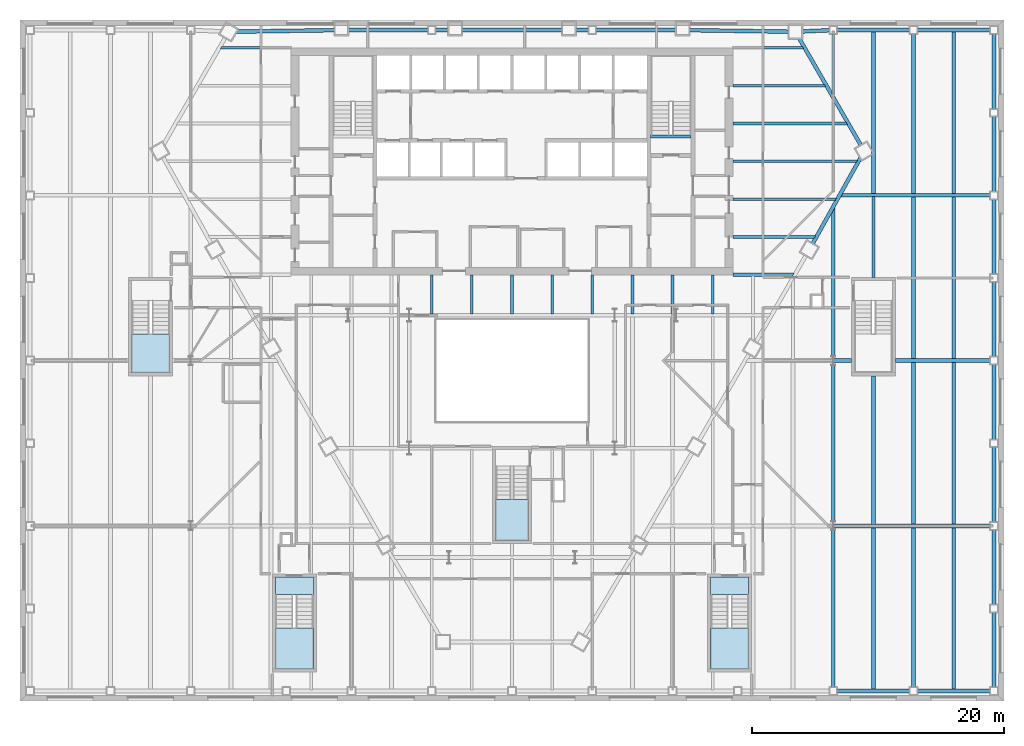
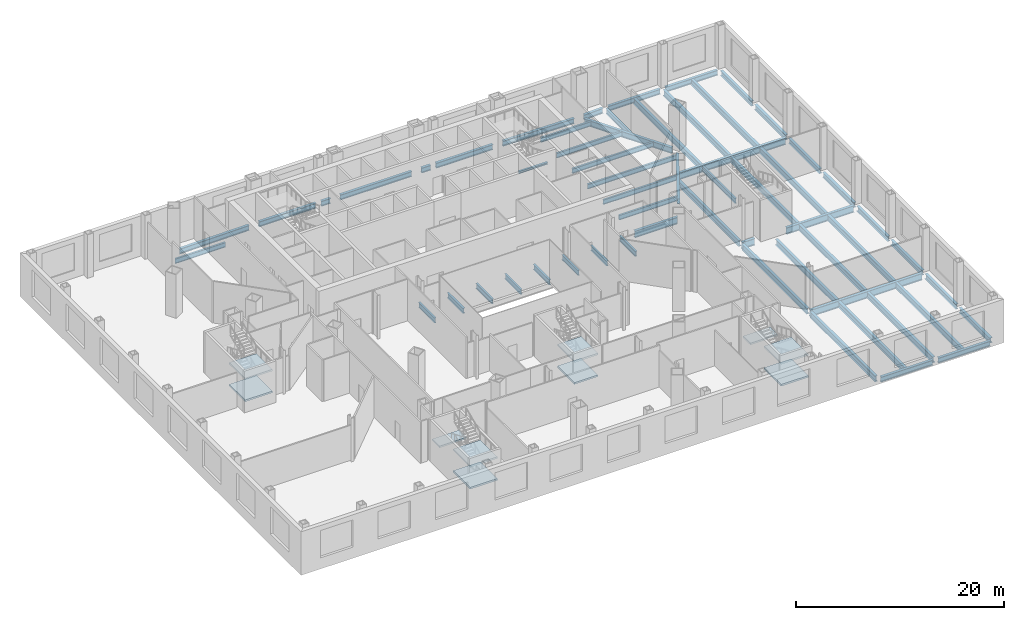
# One storey, part 6 of 21: 59 beams, 10 slabs, 4 elements without a shape of their own.
"""IFC4 building model written with IfcOpenShell, lengths in metres."""

from ifc_helpers import new_model, si_unit, direction, frame, origin, origin_2d, place, context, subcontext, project, spatial, polyline, i_section, outline, extrude, clip, halfspace, material, layer, layer_set, material_profile, profile_set, type_object, element, aggregate, save


model = new_model("IFC4")

# Units and contexts
model_context = context("Model", 3, precision=1e-05, world=origin(), true_north=direction((0.0, 1.0)))
body_context = subcontext(model_context, "Body", "Model", "MODEL_VIEW")
ifc_project = project(units=[si_unit("LENGTHUNIT", "METRE"), si_unit("AREAUNIT", "SQUARE_METRE"), si_unit("VOLUMEUNIT", "CUBIC_METRE"), si_unit("PLANEANGLEUNIT", "RADIAN"), si_unit("MASSUNIT", "GRAM", prefix="KILO")], contexts=[model_context])

# Site, building, storey
site_placement = place(None, origin())
site = spatial("IfcSite", under=ifc_project, at=site_placement, CompositionType="ELEMENT")
building_placement = place(site_placement, origin())
building = spatial("IfcBuilding", under=site, at=building_placement, Name="Njiva Tower", CompositionType="ELEMENT")
storey_placement = place(building_placement, frame((0.0, 0.0, 13.5)))
storey = spatial("IfcBuildingStorey", under=building, at=storey_placement, Name="L02", CompositionType="ELEMENT", Elevation=13.5)

# Beams
ifc_material_1 = material(Name="Steel S355 J2", Category="steel")
ifc_material_profile_1 = material_profile(ifc_material_1, i_section(OverallWidth=0.3, OverallDepth=0.69, WebThickness=0.0145, FlangeThickness=0.027, at=origin_2d()), Name="HEA 700")
ifc_profile_set_1 = profile_set([ifc_material_profile_1], Name="Steel S355 J2")
beam_type_1 = type_object("IfcBeamType", Name="B1 Long-span spandrel beam HEA 700", PredefinedType="SPANDREL", material=ifc_profile_set_1)
beam_1_placement = place(storey_placement, frame((27.648, 10.284, -0.565), z_axis=(-0.500015802937, 0.866016279763, 0.0), x_axis=(-0.866016279763, -0.500015802937, 0.0)))
element("IfcBeam", 1, at=beam_1_placement, inside=storey, type_object=beam_type_1, Name="Long-span spandrel beam L02-B173", PredefinedType="SPANDREL", context=body_context, shape_type="Clipping", body=[
    clip(extrude(i_section(OverallWidth=0.3, OverallDepth=0.69, WebThickness=0.0145, FlangeThickness=0.027, at=origin_2d()), origin(), (0.0, 0.0, 1.0), 9.8447), halfspace(frame((-0.0248, 0.0, 9.7234), z_axis=(-0.500015802937, 0.0, 0.866016279763), x_axis=(0.0, 1.0, 0.0)), False)),
])
ifc_material_profile_2 = material_profile(ifc_material_1, i_section(OverallWidth=0.21, OverallDepth=0.55, WebThickness=0.0111, FlangeThickness=0.0172, at=origin_2d()), Name="IPE 550")
ifc_profile_set_2 = profile_set([ifc_material_profile_2], Name="Steel S355 J2")
beam_type_2 = type_object("IfcBeamType", Name="B10 Floor beam to the core IPE 550", PredefinedType="BEAM", material=ifc_profile_set_2)
beam_2_placement = place(storey_placement, frame((17.5, 3.0, -0.495), z_axis=(1.0, 0.0, 0.0), x_axis=(0.0, 1.0, 0.0)))
element("IfcBeam", 2, at=beam_2_placement, inside=storey, type_object=beam_type_2, Name="Floor beam to the core L02-B007", PredefinedType="BEAM", context=body_context, shape_type="Clipping", body=[
    clip(extrude(i_section(OverallWidth=0.21, OverallDepth=0.55, WebThickness=0.0111, FlangeThickness=0.0172, at=origin_2d()), origin(), (0.0, 0.0, 1.0), 6.591), halfspace(frame((-0.0244, 0.0, 6.4981), z_axis=(-0.487051738924, 0.0, 0.87337311821), x_axis=(0.0, 1.0, 0.0)), False)),
])
beam_3_placement = place(storey_placement, frame((17.5, 6.0, -0.495), z_axis=(1.0, 0.0, 0.0), x_axis=(0.0, 1.0, 0.0)))
element("IfcBeam", 3, at=beam_3_placement, inside=storey, type_object=beam_type_2, Name="Floor beam to the core L02-B008", PredefinedType="BEAM", context=body_context, shape_type="Clipping", body=[
    clip(extrude(i_section(OverallWidth=0.21, OverallDepth=0.55, WebThickness=0.0111, FlangeThickness=0.0172, at=origin_2d()), origin(), (0.0, 0.0, 1.0), 8.264), halfspace(frame((-0.0244, 0.0, 8.171), z_axis=(-0.487051738924, 0.0, 0.87337311821), x_axis=(0.0, 1.0, 0.0)), False)),
])
beam_4_placement = place(storey_placement, frame((17.5, 12.0, -0.495), z_axis=(1.0, 0.0, 0.0), x_axis=(0.0, 1.0, 0.0)))
element("IfcBeam", 4, at=beam_4_placement, inside=storey, type_object=beam_type_2, Name="Floor beam to the core L02-B010", PredefinedType="BEAM", context=body_context, shape_type="Clipping", body=[
    clip(extrude(i_section(OverallWidth=0.21, OverallDepth=0.55, WebThickness=0.0111, FlangeThickness=0.0172, at=origin_2d()), origin(), (0.0, 0.0, 1.0), 9.122), halfspace(frame((0.025, 0.0, 9.0269), z_axis=(0.499998009787, 0.0, 0.866026552831), x_axis=(0.0, 1.0, 0.0)), False)),
])
beam_5_placement = place(storey_placement, frame((17.5, 15.0, -0.495), z_axis=(1.0, 0.0, 0.0), x_axis=(0.0, 1.0, 0.0)))
element("IfcBeam", 5, at=beam_5_placement, inside=storey, type_object=beam_type_2, Name="Floor beam to the core L02-B011", PredefinedType="BEAM", context=body_context, shape_type="Clipping", body=[
    clip(extrude(i_section(OverallWidth=0.21, OverallDepth=0.55, WebThickness=0.0111, FlangeThickness=0.0172, at=origin_2d()), origin(), (0.0, 0.0, 1.0), 7.39), halfspace(frame((0.025, 0.0, 7.2949), z_axis=(0.499998009787, 0.0, 0.866026552831), x_axis=(0.0, 1.0, 0.0)), False)),
])
beam_6_placement = place(storey_placement, frame((-23.158, 18.0, -0.495), z_axis=(1.0, 0.0, 0.0), x_axis=(0.0, 1.0, 0.0)))
element("IfcBeam", 6, at=beam_6_placement, inside=storey, type_object=beam_type_2, Name="Floor beam to the core L02-B006", PredefinedType="BEAM", context=body_context, shape_type="Clipping", body=[
    clip(extrude(i_section(OverallWidth=0.21, OverallDepth=0.55, WebThickness=0.0111, FlangeThickness=0.0172, at=origin_2d()), origin(), (0.0, 0.0, 1.0), 5.658), halfspace(frame((0.025, 0.0, 0.0952), z_axis=(0.499998009787, 0.0, -0.866026552831), x_axis=(0.0, -1.0, 0.0)), False)),
])
beam_7_placement = place(storey_placement, frame((17.5, 18.0, -0.495), z_axis=(1.0, 0.0, 0.0), x_axis=(0.0, 1.0, 0.0)))
element("IfcBeam", 7, at=beam_7_placement, inside=storey, type_object=beam_type_2, Name="Floor beam to the core L02-B012", PredefinedType="BEAM", context=body_context, shape_type="Clipping", body=[
    clip(extrude(i_section(OverallWidth=0.21, OverallDepth=0.55, WebThickness=0.0111, FlangeThickness=0.0172, at=origin_2d()), origin(), (0.0, 0.0, 1.0), 5.658), halfspace(frame((0.025, 0.0, 5.5628), z_axis=(0.499998009787, 0.0, 0.866026552831), x_axis=(0.0, 1.0, 0.0)), False)),
])
ifc_material_profile_3 = material_profile(ifc_material_1, i_section(OverallWidth=0.21, OverallDepth=0.55, WebThickness=0.0111, FlangeThickness=0.0172, at=origin_2d()), Name="IPE 550")
ifc_profile_set_3 = profile_set([ifc_material_profile_3], Name="Steel S355 J2")
beam_type_3 = type_object("IfcBeamType", Name="B11 Long-span floor beam to the core IPE 550", PredefinedType="BEAM", material=ifc_profile_set_3)
beam_8_placement = place(storey_placement, frame((17.5, 9.0, -0.495), z_axis=(1.0, 0.0, 0.0), x_axis=(0.0, 1.0, 0.0)))
element("IfcBeam", 8, at=beam_8_placement, inside=storey, type_object=beam_type_3, Name="Long-span floor beam to the core L02-B009", PredefinedType="BEAM", context=body_context, shape_type="Clipping", body=[
    clip(extrude(i_section(OverallWidth=0.21, OverallDepth=0.55, WebThickness=0.0111, FlangeThickness=0.0172, at=origin_2d()), origin(), (0.0, 0.0, 1.0), 9.937), halfspace(frame((-0.0244, 0.0, 9.844), z_axis=(-0.487051738924, 0.0, 0.87337311821), x_axis=(0.0, 1.0, 0.0)), False)),
])
ifc_material_profile_4 = material_profile(ifc_material_1, i_section(OverallWidth=0.3, OverallDepth=0.69, WebThickness=0.0145, FlangeThickness=0.027, at=origin_2d()), Name="HEA 700")
ifc_profile_set_4 = profile_set([ifc_material_profile_4], Name="Steel S355 J2")
beam_type_4 = type_object("IfcBeamType", Name="B12 Long-span floor joist HEA 700", PredefinedType="JOIST", material=ifc_profile_set_4)
beam_9_placement = place(storey_placement, frame((25.467, 5.288, -0.565), z_axis=(0.0, -1.0, 0.0), x_axis=(1.0, 0.0, 0.0)))
element("IfcBeam", 9, at=beam_9_placement, inside=storey, type_object=beam_type_4, Name="Long-span floor joist L02-B116", PredefinedType="JOIST", context=body_context, shape_type="SweptSolid", body=[
    extrude(i_section(OverallWidth=0.3, OverallDepth=0.69, WebThickness=0.0145, FlangeThickness=0.027, at=origin_2d()), origin(), (0.0, 0.0, 1.0), 11.78),
])
beam_10_placement = place(storey_placement, frame((25.467, -7.108, -0.565), z_axis=(0.0, -1.0, 0.0), x_axis=(1.0, 0.0, 0.0)))
element("IfcBeam", 10, at=beam_10_placement, inside=storey, type_object=beam_type_4, Name="Long-span floor joist L02-B115", PredefinedType="JOIST", context=body_context, shape_type="SweptSolid", body=[
    extrude(i_section(OverallWidth=0.3, OverallDepth=0.69, WebThickness=0.0145, FlangeThickness=0.027, at=origin_2d()), origin(), (0.0, 0.0, 1.0), 12.484),
])
beam_11_placement = place(storey_placement, frame((25.467, -20.208, -0.565), z_axis=(0.0, -1.0, 0.0), x_axis=(1.0, 0.0, 0.0)))
element("IfcBeam", 11, at=beam_11_placement, inside=storey, type_object=beam_type_4, Name="Long-span floor joist L02-B114", PredefinedType="JOIST", context=body_context, shape_type="SweptSolid", body=[
    extrude(i_section(OverallWidth=0.3, OverallDepth=0.69, WebThickness=0.0145, FlangeThickness=0.027, at=origin_2d()), origin(), (0.0, 0.0, 1.0), 12.492),
])
beam_12_placement = place(storey_placement, frame((28.65, 19.3, -0.565), z_axis=(0.0, -1.0, 0.0), x_axis=(1.0, 0.0, 0.0)))
element("IfcBeam", 12, at=beam_12_placement, inside=storey, type_object=beam_type_4, Name="Long-span floor joist L02-B121", PredefinedType="JOIST", context=body_context, shape_type="SweptSolid", body=[
    extrude(i_section(OverallWidth=0.3, OverallDepth=0.69, WebThickness=0.0145, FlangeThickness=0.027, at=origin_2d()), origin(), (0.0, 0.0, 1.0), 12.9),
])
beam_13_placement = place(storey_placement, frame((28.65, -8.0, -0.565), z_axis=(0.0, -1.0, 0.0), x_axis=(1.0, 0.0, 0.0)))
element("IfcBeam", 13, at=beam_13_placement, inside=storey, type_object=beam_type_4, Name="Long-span floor joist L02-B119", PredefinedType="JOIST", context=body_context, shape_type="SweptSolid", body=[
    extrude(i_section(OverallWidth=0.3, OverallDepth=0.69, WebThickness=0.0145, FlangeThickness=0.027, at=origin_2d()), origin(), (0.0, 0.0, 1.0), 11.8),
])
beam_14_placement = place(storey_placement, frame((28.65, -20.0, -0.565), z_axis=(0.0, -1.0, 0.0), x_axis=(1.0, 0.0, 0.0)))
element("IfcBeam", 14, at=beam_14_placement, inside=storey, type_object=beam_type_4, Name="Long-span floor joist L02-B118", PredefinedType="JOIST", context=body_context, shape_type="SweptSolid", body=[
    extrude(i_section(OverallWidth=0.3, OverallDepth=0.69, WebThickness=0.0145, FlangeThickness=0.027, at=origin_2d()), origin(), (0.0, 0.0, 1.0), 12.9),
])
beam_15_placement = place(storey_placement, frame((31.833, 19.1, -0.565), z_axis=(0.0, -1.0, 0.0), x_axis=(1.0, 0.0, 0.0)))
element("IfcBeam", 15, at=beam_15_placement, inside=storey, type_object=beam_type_4, Name="Long-span floor joist L02-B125", PredefinedType="JOIST", context=body_context, shape_type="SweptSolid", body=[
    extrude(i_section(OverallWidth=0.3, OverallDepth=0.69, WebThickness=0.0145, FlangeThickness=0.027, at=origin_2d()), origin(), (0.0, 0.0, 1.0), 12.7),
])
for number, where, z_axis, x_axis, name in (
    (16, (31.833, 6.2, -0.565), (0.0, -1.0, 0.0), (1.0, 0.0, 0.0), "Long-span floor joist L02-B124"),
    (17, (31.833, -6.9, -0.565), (0.0, -1.0, 0.0), (1.0, 0.0, 0.0), "Long-span floor joist L02-B123"),
):
    element("IfcBeam", number, at=place(storey_placement, frame(where, z_axis=z_axis, x_axis=x_axis)), inside=storey, type_object=beam_type_4, Name=name, PredefinedType="JOIST", context=body_context, shape_type="SweptSolid", body=[
        extrude(i_section(OverallWidth=0.3, OverallDepth=0.69, WebThickness=0.0145, FlangeThickness=0.027, at=origin_2d()), origin(), (0.0, 0.0, 1.0), 12.9),
    ])
beam_16_placement = place(storey_placement, frame((31.833, -20.0, -0.565), z_axis=(0.0, -1.0, 0.0), x_axis=(1.0, 0.0, 0.0)))
element("IfcBeam", 18, at=beam_16_placement, inside=storey, type_object=beam_type_4, Name="Long-span floor joist L02-B122", PredefinedType="JOIST", context=body_context, shape_type="SweptSolid", body=[
    extrude(i_section(OverallWidth=0.3, OverallDepth=0.69, WebThickness=0.0145, FlangeThickness=0.027, at=origin_2d()), origin(), (0.0, 0.0, 1.0), 12.7),
])
for number, where, z_axis, x_axis, name in (
    (19, (35.017, 19.3, -0.565), (0.0, -1.0, 0.0), (1.0, 0.0, 0.0), "Long-span floor joist L02-B129"),
    (20, (35.017, 6.2, -0.565), (0.0, -1.0, 0.0), (1.0, 0.0, 0.0), "Long-span floor joist L02-B128"),
    (21, (35.017, -6.9, -0.565), (0.0, -1.0, 0.0), (1.0, 0.0, 0.0), "Long-span floor joist L02-B127"),
    (22, (35.017, -20.0, -0.565), (0.0, -1.0, 0.0), (1.0, 0.0, 0.0), "Long-span floor joist L02-B126"),
):
    element("IfcBeam", number, at=place(storey_placement, frame(where, z_axis=z_axis, x_axis=x_axis)), inside=storey, type_object=beam_type_4, Name=name, PredefinedType="JOIST", context=body_context, shape_type="SweptSolid", body=[
        extrude(i_section(OverallWidth=0.3, OverallDepth=0.69, WebThickness=0.0145, FlangeThickness=0.027, at=origin_2d()), origin(), (0.0, 0.0, 1.0), 12.9),
    ])
ifc_material_profile_5 = material_profile(ifc_material_1, i_section(OverallWidth=0.22, OverallDepth=0.6, WebThickness=0.012, FlangeThickness=0.019, at=origin_2d()), Name="IPE 600")
ifc_profile_set_5 = profile_set([ifc_material_profile_5], Name="Steel S355 J2")
beam_type_5 = type_object("IfcBeamType", Name="B13 Floor joist IPE 600", PredefinedType="JOIST", material=ifc_profile_set_5)
beam_17_placement = place(storey_placement, frame((25.467, 19.1, -0.52), z_axis=(0.0, -1.0, 0.0), x_axis=(1.0, 0.0, 0.0)))
element("IfcBeam", 23, at=beam_17_placement, inside=storey, type_object=beam_type_5, Name="Floor joist L02-B117", PredefinedType="JOIST", context=body_context, shape_type="SweptSolid", body=[
    extrude(i_section(OverallWidth=0.22, OverallDepth=0.6, WebThickness=0.012, FlangeThickness=0.019, at=origin_2d()), origin(), (0.0, 0.0, 1.0), 4.772),
])
beam_18_placement = place(storey_placement, frame((28.65, 6.2, -0.52), z_axis=(0.0, -1.0, 0.0), x_axis=(1.0, 0.0, 0.0)))
element("IfcBeam", 24, at=beam_18_placement, inside=storey, type_object=beam_type_5, Name="Floor joist L02-B120", PredefinedType="JOIST", context=body_context, shape_type="SweptSolid", body=[
    extrude(i_section(OverallWidth=0.22, OverallDepth=0.6, WebThickness=0.012, FlangeThickness=0.019, at=origin_2d()), origin(), (0.0, 0.0, 1.0), 6.4),
])
ifc_material_profile_6 = material_profile(ifc_material_1, i_section(OverallWidth=0.22, OverallDepth=0.6, WebThickness=0.012, FlangeThickness=0.019, at=origin_2d()), Name="IPE 600")
ifc_profile_set_6 = profile_set([ifc_material_profile_6], Name="Steel S355 J2")
beam_type_6 = type_object("IfcBeamType", Name="B14 Short-span floor joist IPE 600", PredefinedType="JOIST", material=ifc_profile_set_6)
for number, where, z_axis, x_axis, name in (
    (25, (-6.367, -0.005, -0.52), (0.0, -1.0, 0.0), (1.0, 0.0, 0.0), "Short-span floor joist L02-B076"),
    (26, (-3.183, -0.005, -0.52), (0.0, -1.0, 0.0), (1.0, 0.0, 0.0), "Short-span floor joist L02-B080"),
    (27, (0.0, -0.005, -0.52), (0.0, -1.0, 0.0), (1.0, 0.0, 0.0), "Short-span floor joist L02-B084"),
    (28, (3.183, -0.005, -0.52), (0.0, -1.0, 0.0), (1.0, 0.0, 0.0), "Short-span floor joist L02-B088"),
    (29, (6.367, -0.005, -0.52), (0.0, -1.0, 0.0), (1.0, 0.0, 0.0), "Short-span floor joist L02-B092"),
):
    element("IfcBeam", number, at=place(storey_placement, frame(where, z_axis=z_axis, x_axis=x_axis)), inside=storey, type_object=beam_type_6, Name=name, PredefinedType="JOIST", context=body_context, shape_type="SweptSolid", body=[
        extrude(i_section(OverallWidth=0.22, OverallDepth=0.6, WebThickness=0.012, FlangeThickness=0.019, at=origin_2d()), origin(), (0.0, 0.0, 1.0), 3.094),
    ])
for number, where, z_axis, x_axis, name in (
    (30, (9.55, -0.005, -0.52), (0.0, -1.0, 0.0), (1.0, 0.0, 0.0), "Short-span floor joist L02-B096"),
    (31, (12.733, -0.005, -0.52), (0.0, -1.0, 0.0), (1.0, 0.0, 0.0), "Short-span floor joist L02-B101"),
    (32, (15.917, -0.005, -0.52), (0.0, -1.0, 0.0), (1.0, 0.0, 0.0), "Short-span floor joist L02-B106"),
):
    element("IfcBeam", number, at=place(storey_placement, frame(where, z_axis=z_axis, x_axis=x_axis)), inside=storey, type_object=beam_type_6, Name=name, PredefinedType="JOIST", context=body_context, shape_type="SweptSolid", body=[
        extrude(i_section(OverallWidth=0.22, OverallDepth=0.6, WebThickness=0.012, FlangeThickness=0.019, at=origin_2d()), origin(), (0.0, 0.0, 1.0), 3.095),
    ])
ifc_material_profile_7 = material_profile(ifc_material_1, i_section(OverallWidth=0.3, OverallDepth=0.6, WebThickness=0.0155, FlangeThickness=0.03, at=origin_2d()), Name="HEB 600")
ifc_profile_set_7 = profile_set([ifc_material_profile_7], Name="Steel S355 J2")
beam_type_7 = type_object("IfcBeamType", Name="B2 Spandrel beam HEB 600", PredefinedType="SPANDREL", material=ifc_profile_set_7)
beam_19_placement = place(storey_placement, frame((23.837, 2.482, -0.52), z_axis=(0.487077780218, 0.873358595319, 0.0), x_axis=(-0.873358595319, 0.487077780218, 0.0)))
element("IfcBeam", 33, at=beam_19_placement, inside=storey, type_object=beam_type_7, Name="Spandrel beam L02-B175", PredefinedType="SPANDREL", context=body_context, shape_type="Clipping", body=[
    clip(extrude(i_section(OverallWidth=0.3, OverallDepth=0.6, WebThickness=0.0155, FlangeThickness=0.03, at=origin_2d()), origin(), (0.0, 0.0, 1.0), 7.8582), halfspace(frame((-0.0257, 0.0, 7.7326), z_axis=(-0.51281381297, 0.0, 0.858499850453), x_axis=(0.0, 1.0, 0.0)), False)),
])
for number, where, z_axis, x_axis, name in (
    (34, (38.2, -32.7, -0.52), (0.0, 1.0, 0.0), (-1.0, 0.0, 0.0), "Spandrel beam L02-B180"),
    (35, (38.2, -26.15, -0.52), (0.0, 1.0, 0.0), (-1.0, 0.0, 0.0), "Spandrel beam L02-B181"),
    (36, (38.2, -19.6, -0.52), (0.0, 1.0, 0.0), (-1.0, 0.0, 0.0), "Spandrel beam L02-B182"),
    (37, (38.2, -13.05, -0.52), (0.0, 1.0, 0.0), (-1.0, 0.0, 0.0), "Spandrel beam L02-B183"),
    (38, (38.2, -6.5, -0.52), (0.0, 1.0, 0.0), (-1.0, 0.0, 0.0), "Spandrel beam L02-B184"),
    (39, (38.2, 0.05, -0.52), (0.0, 1.0, 0.0), (-1.0, 0.0, 0.0), "Spandrel beam L02-B185"),
    (40, (38.2, 6.6, -0.52), (0.0, 1.0, 0.0), (-1.0, 0.0, 0.0), "Spandrel beam L02-B186"),
    (41, (38.2, 13.15, -0.52), (0.0, 1.0, 0.0), (-1.0, 0.0, 0.0), "Spandrel beam L02-B187"),
):
    element("IfcBeam", number, at=place(storey_placement, frame(where, z_axis=z_axis, x_axis=x_axis)), inside=storey, type_object=beam_type_7, Name=name, PredefinedType="SPANDREL", context=body_context, shape_type="SweptSolid", body=[
        extrude(i_section(OverallWidth=0.3, OverallDepth=0.6, WebThickness=0.0155, FlangeThickness=0.03, at=origin_2d()), origin(), (0.0, 0.0, 1.0), 5.95),
    ])
beam_20_placement = place(storey_placement, frame((25.767, -33.0, -0.52), z_axis=(1.0, 0.0, 0.0), x_axis=(0.0, 1.0, 0.0)))
element("IfcBeam", 42, at=beam_20_placement, inside=storey, type_object=beam_type_7, Name="Spandrel beam L02-B176", PredefinedType="SPANDREL", context=body_context, shape_type="SweptSolid", body=[
    extrude(i_section(OverallWidth=0.3, OverallDepth=0.6, WebThickness=0.0155, FlangeThickness=0.03, at=origin_2d()), origin(), (0.0, 0.0, 1.0), 5.766),
])
beam_21_placement = place(storey_placement, frame((32.133, -33.0, -0.52), z_axis=(1.0, 0.0, 0.0), x_axis=(0.0, 1.0, 0.0)))
element("IfcBeam", 43, at=beam_21_placement, inside=storey, type_object=beam_type_7, Name="Spandrel beam L02-B178", PredefinedType="SPANDREL", context=body_context, shape_type="SweptSolid", body=[
    extrude(i_section(OverallWidth=0.3, OverallDepth=0.6, WebThickness=0.0155, FlangeThickness=0.03, at=origin_2d()), origin(), (0.0, 0.0, 1.0), 5.767),
])
beam_22_placement = place(storey_placement, frame((-21.93, 19.2744, -0.52), z_axis=(0.99988785754, 0.014975725174, 0.0), x_axis=(-0.014975725174, 0.99988785754, 0.0)))
element("IfcBeam", 44, at=beam_22_placement, inside=storey, type_object=beam_type_7, Name="Spandrel beam L02-B151", PredefinedType="SPANDREL", context=body_context, shape_type="Clipping", body=[
    clip(extrude(i_section(OverallWidth=0.3, OverallDepth=0.6, WebThickness=0.0155, FlangeThickness=0.03, at=origin_2d()), origin(), (0.0, 0.0, 1.0), 7.8559), halfspace(frame((0.0261, 0.0, 0.1249), z_axis=(0.512911314429, 0.0, -0.858441601701), x_axis=(0.0, -1.0, 0.0)), False)),
])
beam_23_placement = place(storey_placement, frame((-12.973, 19.4, -0.52), z_axis=(1.0, 0.0, 0.0), x_axis=(0.0, 1.0, 0.0)))
element("IfcBeam", 45, at=beam_23_placement, inside=storey, type_object=beam_type_7, Name="Spandrel beam L02-B155", PredefinedType="SPANDREL", context=body_context, shape_type="SweptSolid", body=[
    extrude(i_section(OverallWidth=0.3, OverallDepth=0.6, WebThickness=0.0155, FlangeThickness=0.03, at=origin_2d()), origin(), (0.0, 0.0, 1.0), 6.306),
])
beam_24_placement = place(storey_placement, frame((-3.958, 19.4, -0.52), z_axis=(1.0, 0.0, 0.0), x_axis=(0.0, 1.0, 0.0)))
element("IfcBeam", 46, at=beam_24_placement, inside=storey, type_object=beam_type_7, Name="Spandrel beam L02-B161", PredefinedType="SPANDREL", context=body_context, shape_type="SweptSolid", body=[
    extrude(i_section(OverallWidth=0.3, OverallDepth=0.6, WebThickness=0.0155, FlangeThickness=0.03, at=origin_2d()), origin(), (0.0, 0.0, 1.0), 7.916),
])
beam_25_placement = place(storey_placement, frame((6.667, 19.4, -0.52), z_axis=(1.0, 0.0, 0.0), x_axis=(0.0, 1.0, 0.0)))
element("IfcBeam", 47, at=beam_25_placement, inside=storey, type_object=beam_type_7, Name="Spandrel beam L02-B166", PredefinedType="SPANDREL", context=body_context, shape_type="SweptSolid", body=[
    extrude(i_section(OverallWidth=0.3, OverallDepth=0.6, WebThickness=0.0155, FlangeThickness=0.03, at=origin_2d()), origin(), (0.0, 0.0, 1.0), 6.306),
])
beam_26_placement = place(storey_placement, frame((14.075, 19.392, -0.52), z_axis=(0.999888493047, -0.014933233812, 0.0), x_axis=(0.014933233812, 0.999888493047, 0.0)))
element("IfcBeam", 48, at=beam_26_placement, inside=storey, type_object=beam_type_7, Name="Spandrel beam L02-B169", PredefinedType="SPANDREL", context=body_context, shape_type="SweptSolid", body=[
    extrude(i_section(OverallWidth=0.3, OverallDepth=0.6, WebThickness=0.0155, FlangeThickness=0.03, at=origin_2d()), origin(), (0.0, 0.0, 1.0), 7.8349),
])
beam_27_placement = place(storey_placement, frame((25.767, 19.4, -0.52), z_axis=(1.0, 0.0, 0.0), x_axis=(0.0, 1.0, 0.0)))
element("IfcBeam", 49, at=beam_27_placement, inside=storey, type_object=beam_type_7, Name="Spandrel beam L02-B177", PredefinedType="SPANDREL", context=body_context, shape_type="SweptSolid", body=[
    extrude(i_section(OverallWidth=0.3, OverallDepth=0.6, WebThickness=0.0155, FlangeThickness=0.03, at=origin_2d()), origin(), (0.0, 0.0, 1.0), 5.766),
])
beam_28_placement = place(storey_placement, frame((32.133, 19.4, -0.52), z_axis=(1.0, 0.0, 0.0), x_axis=(0.0, 1.0, 0.0)))
element("IfcBeam", 50, at=beam_28_placement, inside=storey, type_object=beam_type_7, Name="Spandrel beam L02-B179", PredefinedType="SPANDREL", context=body_context, shape_type="SweptSolid", body=[
    extrude(i_section(OverallWidth=0.3, OverallDepth=0.6, WebThickness=0.0155, FlangeThickness=0.03, at=origin_2d()), origin(), (0.0, 0.0, 1.0), 5.767),
])
ifc_material_profile_8 = material_profile(ifc_material_1, i_section(OverallWidth=0.3, OverallDepth=0.6, WebThickness=0.0155, FlangeThickness=0.03, at=origin_2d()), Name="HEB 600")
ifc_profile_set_8 = profile_set([ifc_material_profile_8], Name="Steel S355 J2")
beam_type_8 = type_object("IfcBeamType", Name="B3 Short-span spandrel beam HEB 600", PredefinedType="SPANDREL", material=ifc_profile_set_8)
for number, where, z_axis, x_axis, name in (
    (51, (-6.067, 19.4, -0.52), (1.0, 0.0, 0.0), (0.0, 1.0, 0.0), "Short-span spandrel beam L02-B159"),
    (52, (5.058, 19.4, -0.52), (1.0, 0.0, 0.0), (0.0, 1.0, 0.0), "Short-span spandrel beam L02-B163"),
):
    element("IfcBeam", number, at=place(storey_placement, frame(where, z_axis=z_axis, x_axis=x_axis)), inside=storey, type_object=beam_type_8, Name=name, PredefinedType="SPANDREL", context=body_context, shape_type="SweptSolid", body=[
        extrude(i_section(OverallWidth=0.3, OverallDepth=0.6, WebThickness=0.0155, FlangeThickness=0.03, at=origin_2d()), origin(), (0.0, 0.0, 1.0), 1.009),
    ])
beam_29_placement = place(storey_placement, frame((23.017, 19.291, -0.52), z_axis=(0.999019768344, 0.04426626772, 0.0), x_axis=(-0.04426626772, 0.999019768344, 0.0)))
element("IfcBeam", 53, at=beam_29_placement, inside=storey, type_object=beam_type_8, Name="Short-span spandrel beam L02-B174", PredefinedType="SPANDREL", context=body_context, shape_type="SweptSolid", body=[
    extrude(i_section(OverallWidth=0.3, OverallDepth=0.6, WebThickness=0.0155, FlangeThickness=0.03, at=origin_2d()), origin(), (0.0, 0.0, 1.0), 2.1461),
])
ifc_material_profile_9 = material_profile(ifc_material_1, i_section(OverallWidth=0.3, OverallDepth=0.79, WebThickness=0.015, FlangeThickness=0.028, at=origin_2d()), Name="HEA 800")
ifc_profile_set_9 = profile_set([ifc_material_profile_9], Name="Steel S355 J2")
beam_type_9 = type_object("IfcBeamType", Name="B4 Floor girder HEA 800", PredefinedType="BEAM", material=ifc_profile_set_9)
beam_30_placement = place(storey_placement, frame((17.5, 0.0, -0.615), z_axis=(1.0, 0.0, 0.0), x_axis=(0.0, 1.0, 0.0)))
element("IfcBeam", 54, at=beam_30_placement, inside=storey, type_object=beam_type_9, Name="Floor girder L02-B030", PredefinedType="BEAM", context=body_context, shape_type="Clipping", body=[
    clip(extrude(i_section(OverallWidth=0.3, OverallDepth=0.79, WebThickness=0.015, FlangeThickness=0.028, at=origin_2d()), origin(), (0.0, 0.0, 1.0), 4.905), halfspace(frame((-0.025, 0.0, 4.7839), z_axis=(-0.499998009787, 0.0, 0.866026552831), x_axis=(0.0, 1.0, 0.0)), False)),
])
beam_31_placement = place(storey_placement, frame((30.4, -6.8, -0.615), z_axis=(1.0, 0.0, 0.0), x_axis=(0.0, 1.0, 0.0)))
element("IfcBeam", 55, at=beam_31_placement, inside=storey, type_object=beam_type_9, Name="Floor girder L02-B035", PredefinedType="BEAM", context=body_context, shape_type="SweptSolid", body=[
    extrude(i_section(OverallWidth=0.3, OverallDepth=0.79, WebThickness=0.015, FlangeThickness=0.028, at=origin_2d()), origin(), (0.0, 0.0, 1.0), 7.5),
])
ifc_material_profile_10 = material_profile(ifc_material_1, i_section(OverallWidth=0.3, OverallDepth=0.79, WebThickness=0.015, FlangeThickness=0.028, at=origin_2d()), Name="HEA 800")
ifc_profile_set_10 = profile_set([ifc_material_profile_10], Name="Steel S355 J2")
beam_type_10 = type_object("IfcBeamType", Name="B5 Short-span floor girder HEA 800", PredefinedType="BEAM", material=ifc_profile_set_10)
beam_32_placement = place(storey_placement, frame((25.467, -6.8, -0.615), z_axis=(1.0, 0.0, 0.0), x_axis=(0.0, 1.0, 0.0)))
element("IfcBeam", 56, at=beam_32_placement, inside=storey, type_object=beam_type_10, Name="Short-span floor girder L02-B033", PredefinedType="BEAM", context=body_context, shape_type="SweptSolid", body=[
    extrude(i_section(OverallWidth=0.3, OverallDepth=0.79, WebThickness=0.015, FlangeThickness=0.028, at=origin_2d()), origin(), (0.0, 0.0, 1.0), 1.433),
])
ifc_material_profile_11 = material_profile(ifc_material_1, i_section(OverallWidth=0.3, OverallDepth=0.79, WebThickness=0.015, FlangeThickness=0.028, at=origin_2d()), Name="HEA 800")
ifc_profile_set_11 = profile_set([ifc_material_profile_11], Name="Steel S355 J2")
beam_type_11 = type_object("IfcBeamType", Name="B6 Long-span floor girder HEA 800", PredefinedType="BEAM", material=ifc_profile_set_11)
beam_33_placement = place(storey_placement, frame((26.035, 6.3, -0.615), z_axis=(1.0, 0.0, 0.0), x_axis=(0.0, 1.0, 0.0)))
element("IfcBeam", 57, at=beam_33_placement, inside=storey, type_object=beam_type_11, Name="Long-span floor girder L02-B034", PredefinedType="BEAM", context=body_context, shape_type="SweptSolid", body=[
    extrude(i_section(OverallWidth=0.3, OverallDepth=0.79, WebThickness=0.015, FlangeThickness=0.028, at=origin_2d()), origin(), (0.0, 0.0, 1.0), 11.865),
])
beam_34_placement = place(storey_placement, frame((25.467, -19.9, -0.615), z_axis=(1.0, 0.0, 0.0), x_axis=(0.0, 1.0, 0.0)))
element("IfcBeam", 58, at=beam_34_placement, inside=storey, type_object=beam_type_11, Name="Long-span floor girder L02-B032", PredefinedType="BEAM", context=body_context, shape_type="SweptSolid", body=[
    extrude(i_section(OverallWidth=0.3, OverallDepth=0.79, WebThickness=0.015, FlangeThickness=0.028, at=origin_2d()), origin(), (0.0, 0.0, 1.0), 12.433),
])
ifc_material_profile_12 = material_profile(ifc_material_1, i_section(OverallWidth=0.24, OverallDepth=0.23, WebThickness=0.0075, FlangeThickness=0.012, at=origin_2d()), Name="HEA240")
ifc_profile_set_12 = profile_set([ifc_material_profile_12], Name="Steel S355 J2")
beam_type_12 = type_object("IfcBeamType", Name="FL8 Landing beam HEA 240", PredefinedType="BEAM", material=ifc_profile_set_12)
beam_35_placement = place(storey_placement, frame((10.994, 10.98, 2.235), z_axis=(1.0, 0.0, 0.0), x_axis=(0.0, 1.0, 0.0)))
element("IfcBeam", 59, at=beam_35_placement, inside=storey, type_object=beam_type_12, Name="Landing beam", PredefinedType="BEAM", context=body_context, shape_type="SweptSolid", body=[
    extrude(i_section(OverallWidth=0.24, OverallDepth=0.23, WebThickness=0.0075, FlangeThickness=0.012, at=origin_2d()), origin(), (0.0, 0.0, 1.0), 3.212),
])

# Stair, slabs
ifc_material_2 = material(Name="Concrete C40/50", Category="concrete")
stair_type_1 = type_object("IfcStairType", Name="ST1 Exit stair 1250", PredefinedType="HALF_TURN_STAIR", material=ifc_material_2)
stair_1_placement = place(storey_placement, origin())
stair_1 = element("IfcStair", 60, at=stair_1_placement, inside=storey, type_object=stair_type_1, Name="Stair C", PredefinedType="DOUBLE_RETURN_STAIR")
ifc_layer = layer(ifc_material_2, 0.2)
ifc_layer_set = layer_set([ifc_layer], Name="Concrete C40/50")
slab_type = type_object("IfcSlabType", Name="FL9 Stair landing 200", PredefinedType="LANDING", material=ifc_layer_set)
slab_1_placement = place(storey_placement, frame((0.0, 0.0, 1.075)))
slab_1 = element("IfcSlab", 61, at=slab_1_placement, type_object=slab_type, Name="ST-C landing 1", PredefinedType="LANDING", context=body_context, shape_type="SweptSolid", body=[
    extrude(outline(polyline([(-1.306, -21.05), (1.306, -21.05), (1.306, -17.8), (-1.306, -17.8), (-1.306, -21.05)])), origin(), (0.0, 0.0, 1.0), 0.2),
])
slab_2_placement = place(storey_placement, frame((0.0, 0.0, 3.625)))
slab_2 = element("IfcSlab", 62, at=slab_2_placement, type_object=slab_type, Name="ST-C landing 3", PredefinedType="LANDING", context=body_context, shape_type="SweptSolid", body=[
    extrude(outline(polyline([(-1.306, -21.05), (1.306, -21.05), (1.306, -17.8), (-1.306, -17.8), (-1.306, -21.05)])), origin(), (0.0, 0.0, 1.0), 0.2),
])
aggregate(stair_1, [slab_1, slab_2])

stair_type_2 = type_object("IfcStairType", Name="ST2 Exit stair 1400", PredefinedType="HALF_TURN_STAIR", material=ifc_material_2)
stair_2_placement = place(storey_placement, origin())
stair_2 = element("IfcStair", 63, at=stair_2_placement, inside=storey, type_object=stair_type_2, Name="Stair D", PredefinedType="DOUBLE_RETURN_STAIR")
slab_3_placement = place(storey_placement, frame((0.0, 0.0, 1.075)))
slab_3 = element("IfcSlab", 64, at=slab_3_placement, type_object=slab_type, Name="ST-D landing 1", PredefinedType="LANDING", context=body_context, shape_type="SweptSolid", body=[
    extrude(outline(polyline([(-18.756, -31.25), (-15.744, -31.25), (-15.744, -27.99), (-18.756, -27.99), (-18.756, -31.25)])), origin(), (0.0, 0.0, 1.0), 0.2),
])
slab_4_placement = place(storey_placement, frame((0.0, 0.0, 2.35)))
slab_4 = element("IfcSlab", 65, at=slab_4_placement, type_object=slab_type, Name="ST-D landing 2", PredefinedType="LANDING", context=body_context, shape_type="SweptSolid", body=[
    extrude(outline(polyline([(-18.756, -25.35), (-15.744, -25.35), (-15.744, -23.95), (-18.756, -23.95), (-18.756, -25.35)])), origin(), (0.0, 0.0, 1.0), 0.2),
])
slab_5_placement = place(storey_placement, frame((0.0, 0.0, 3.625)))
slab_5 = element("IfcSlab", 66, at=slab_5_placement, type_object=slab_type, Name="ST-D landing 3", PredefinedType="LANDING", context=body_context, shape_type="SweptSolid", body=[
    extrude(outline(polyline([(-18.756, -31.25), (-15.744, -31.25), (-15.744, -27.99), (-18.756, -27.99), (-18.756, -31.25)])), origin(), (0.0, 0.0, 1.0), 0.2),
])
aggregate(stair_2, [slab_3, slab_4, slab_5])

stair_3_placement = place(storey_placement, origin())
stair_3 = element("IfcStair", 67, at=stair_3_placement, inside=storey, type_object=stair_type_2, Name="Stair E", PredefinedType="DOUBLE_RETURN_STAIR")
slab_6_placement = place(storey_placement, frame((0.0, 0.0, 1.075)))
slab_6 = element("IfcSlab", 68, at=slab_6_placement, type_object=slab_type, Name="ST-E landing 1", PredefinedType="LANDING", context=body_context, shape_type="SweptSolid", body=[
    extrude(outline(polyline([(15.744, -31.25), (18.756, -31.25), (18.756, -27.99), (15.744, -27.99), (15.744, -31.25)])), origin(), (0.0, 0.0, 1.0), 0.2),
])
slab_7_placement = place(storey_placement, frame((0.0, 0.0, 2.35)))
slab_7 = element("IfcSlab", 69, at=slab_7_placement, type_object=slab_type, Name="ST-E landing 2", PredefinedType="LANDING", context=body_context, shape_type="SweptSolid", body=[
    extrude(outline(polyline([(15.744, -25.35), (18.756, -25.35), (18.756, -23.95), (15.744, -23.95), (15.744, -25.35)])), origin(), (0.0, 0.0, 1.0), 0.2),
])
slab_8_placement = place(storey_placement, frame((0.0, 0.0, 3.625)))
slab_8 = element("IfcSlab", 70, at=slab_8_placement, type_object=slab_type, Name="ST-E landing 3", PredefinedType="LANDING", context=body_context, shape_type="SweptSolid", body=[
    extrude(outline(polyline([(15.744, -31.25), (18.756, -31.25), (18.756, -27.99), (15.744, -27.99), (15.744, -31.25)])), origin(), (0.0, 0.0, 1.0), 0.2),
])
aggregate(stair_3, [slab_6, slab_7, slab_8])

stair_4_placement = place(storey_placement, origin())
stair_4 = element("IfcStair", 71, at=stair_4_placement, inside=storey, type_object=stair_type_2, Name="Stair F", PredefinedType="DOUBLE_RETURN_STAIR")
slab_9_placement = place(storey_placement, frame((0.0, 0.0, 1.075)))
slab_9 = element("IfcSlab", 72, at=slab_9_placement, type_object=slab_type, Name="ST-F landing 1", PredefinedType="LANDING", context=body_context, shape_type="SweptSolid", body=[
    extrude(outline(polyline([(-30.156, -7.75), (-27.144, -7.75), (-27.144, -4.69), (-30.156, -4.69), (-30.156, -7.75)])), origin(), (0.0, 0.0, 1.0), 0.2),
])
slab_10_placement = place(storey_placement, frame((0.0, 0.0, 3.625)))
slab_10 = element("IfcSlab", 73, at=slab_10_placement, type_object=slab_type, Name="ST-F landing 3", PredefinedType="LANDING", context=body_context, shape_type="SweptSolid", body=[
    extrude(outline(polyline([(-30.156, -7.75), (-27.144, -7.75), (-27.144, -4.69), (-30.156, -4.69), (-30.156, -7.75)])), origin(), (0.0, 0.0, 1.0), 0.2),
])
aggregate(stair_4, [slab_9, slab_10])

save(model, "model.ifc")
